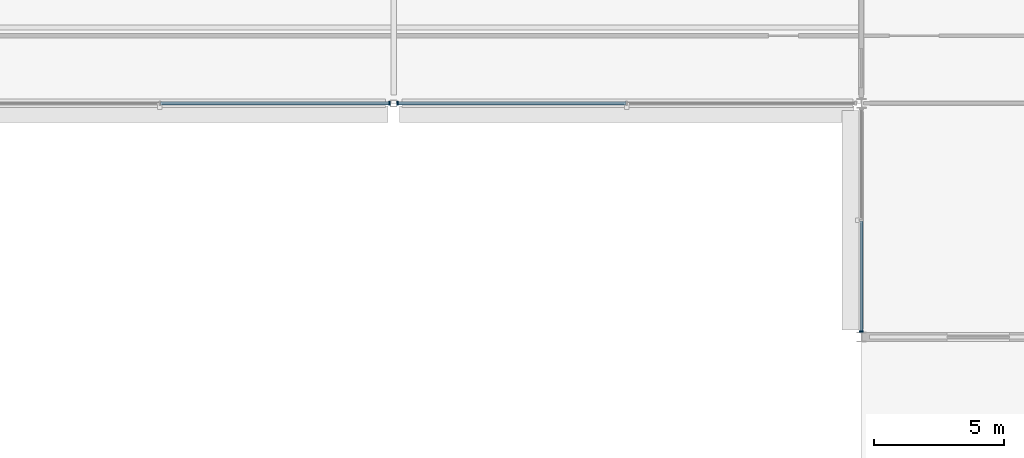
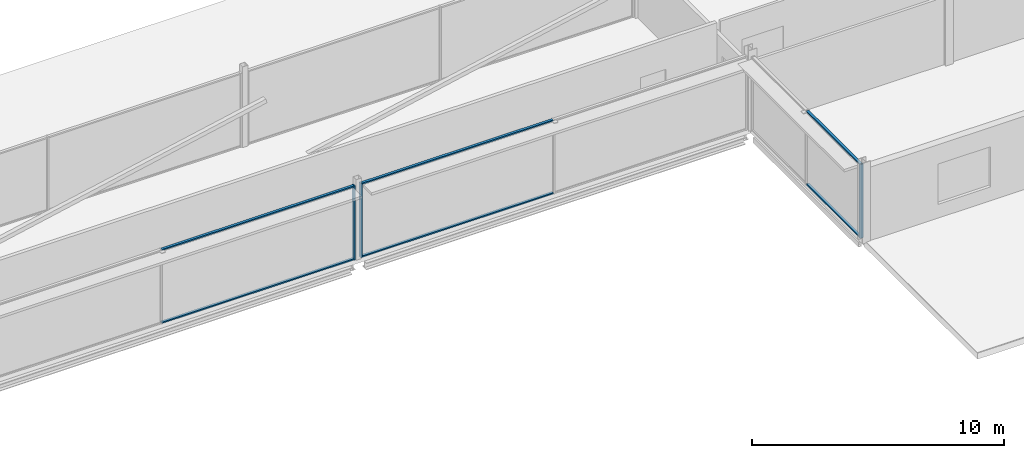
# One storey, part 42 of 105: 9 members, 3 elements without a shape of their own.
"""IFC4 building model written with IfcOpenShell, lengths in metres."""

from ifc_helpers import new_model, si_unit, direction, frame, origin, origin_2d, place, context, subcontext, project, spatial, rectangle, extrude, material, layer, layer_set, material_profile, profile_set, type_object, element, aggregate, save


model = new_model("IFC4")

# Units and contexts
model_context = context("Model", 3, precision=1e-05, world=origin(), true_north=direction((0.0, 1.0)))
body_context = subcontext(model_context, "Body", "Model", "MODEL_VIEW")
ifc_project = project(units=[si_unit("LENGTHUNIT", "METRE"), si_unit("AREAUNIT", "SQUARE_METRE"), si_unit("VOLUMEUNIT", "CUBIC_METRE"), si_unit("PLANEANGLEUNIT", "RADIAN"), si_unit("MASSUNIT", "GRAM", prefix="KILO")], contexts=[model_context])

# Site, building, storey
site_placement = place(None, origin())
site = spatial("IfcSite", under=ifc_project, at=site_placement, CompositionType="ELEMENT")
building_placement = place(site_placement, origin())
building = spatial("IfcBuilding", under=site, at=building_placement, Name="Kisiwana Market Hall", CompositionType="ELEMENT")
storey_placement = place(building_placement, frame((0.0, 0.0, 21.60009765625)))
storey = spatial("IfcBuildingStorey", under=building, at=storey_placement, Name="L04", CompositionType="ELEMENT", Elevation=21.60009765625)

# Curtain wall, member
ifc_material_1 = material(Name="Double-glazed solar-control low-E IGU", Category="glass")
ifc_layer = layer(ifc_material_1, 0.159912109375)
ifc_layer_set = layer_set([ifc_layer], Name="CW-ZNA-EW-8200")
curtain_wall_type = type_object("IfcCurtainWallType", Name="CW-ZNA-EW-8200", PredefinedType="USERDEFINED", material=ifc_layer_set)
curtain_wall_1_placement = place(storey_placement, origin())
curtain_wall_1 = element("IfcCurtainWall", 1, at=curtain_wall_1_placement, inside=storey, type_object=curtain_wall_type, Name="Unitised curtain wall CW-096 (L04)", ObjectType="UNITISED CURTAIN WALL", PredefinedType="USERDEFINED")
ifc_material_2 = material(Name="Aluminium alloy 6063-T6", Category="aluminium")
ifc_material_profile_1 = material_profile(ifc_material_2, rectangle(XDim=0.06005859375, YDim=0.159912109375, at=origin_2d()), Name="ALU MULLION 60x160")
ifc_profile_set_1 = profile_set([ifc_material_profile_1], Name="Aluminium alloy 6063-T6")
member_type_1 = type_object("IfcMemberType", Name="CW-MULL-60x160", PredefinedType="MULLION", material=ifc_profile_set_1)
member_1_placement = place(storey_placement, frame((134.844970703125, 18.0, 0.0), z_axis=(0.0, 0.0, 1.0), x_axis=(1.0, 0.0, 0.0)))
member_1 = element("IfcMember", 2, at=member_1_placement, type_object=member_type_1, Name="CW-096 mullion 3", PredefinedType="MULLION", context=body_context, shape_type="SweptSolid", body=[
    extrude(rectangle(XDim=0.06005859375, YDim=0.159912109375, at=origin_2d()), origin(), (0.0, 0.0, 1.0), 3.5849609375),
])

curtain_wall_2_placement = place(storey_placement, origin())
curtain_wall_2 = element("IfcCurtainWall", 3, at=curtain_wall_2_placement, inside=storey, type_object=curtain_wall_type, Name="Unitised curtain wall CW-097 (L04)", ObjectType="UNITISED CURTAIN WALL", PredefinedType="USERDEFINED")
member_2_placement = place(storey_placement, frame((135.155029296875, 18.0, 0.0), z_axis=(0.0, 0.0, 1.0), x_axis=(1.0, 0.0, 0.0)))
member_2 = element("IfcMember", 4, at=member_2_placement, type_object=member_type_1, Name="CW-097 mullion 1", PredefinedType="MULLION", context=body_context, shape_type="SweptSolid", body=[
    extrude(rectangle(XDim=0.06005859375, YDim=0.159912109375, at=origin_2d()), origin(), (0.0, 0.0, 1.0), 3.5849609375),
])

curtain_wall_3_placement = place(storey_placement, origin())
curtain_wall_3 = element("IfcCurtainWall", 5, at=curtain_wall_3_placement, inside=storey, type_object=curtain_wall_type, Name="Unitised curtain wall CW-124 (L04)", ObjectType="UNITISED CURTAIN WALL", PredefinedType="USERDEFINED")
member_3_placement = place(storey_placement, frame((153.0, 9.214111328125, 0.0), z_axis=(0.0, 0.0, 1.0), x_axis=(0.0, 1.0, 0.0)))
member_3 = element("IfcMember", 6, at=member_3_placement, type_object=member_type_1, Name="CW-124 mullion 1", PredefinedType="MULLION", context=body_context, shape_type="SweptSolid", body=[
    extrude(rectangle(XDim=0.06005859375, YDim=0.159912109375, at=origin_2d()), origin(), (0.0, 0.0, 1.0), 3.5849609375),
])

# Member
ifc_material_3 = material(Name="Aluminium alloy 6063-T6", Category="aluminium")
ifc_material_profile_2 = material_profile(ifc_material_3, rectangle(XDim=0.1201171875, YDim=0.06005859375, at=origin_2d()), Name="ALU TRANSOM 60x120")
ifc_profile_set_2 = profile_set([ifc_material_profile_2], Name="Aluminium alloy 6063-T6")
member_type_2 = type_object("IfcMemberType", Name="CW-TRAN-60x120", PredefinedType="USERDEFINED", material=ifc_profile_set_2)
member_4_placement = place(storey_placement, frame((126.030029296875, 18.0, 0.02978515625), z_axis=(1.0, 0.0, 0.0), x_axis=(0.0, 1.0, 0.0)))
member_4 = element("IfcMember", 7, at=member_4_placement, type_object=member_type_2, Name="CW-096 transom 2.1", ObjectType="TRANSOM", PredefinedType="USERDEFINED", context=body_context, shape_type="SweptSolid", body=[
    extrude(rectangle(XDim=0.1201171875, YDim=0.06005859375, at=origin_2d()), origin(), (0.0, 0.0, 1.0), 8.784912109375),
])

member_5_placement = place(storey_placement, frame((126.030029296875, 18.0, 3.554931640625), z_axis=(1.0, 0.0, 0.0), x_axis=(0.0, 1.0, 0.0)))
member_5 = element("IfcMember", 8, at=member_5_placement, type_object=member_type_2, Name="CW-096 transom 2.2", ObjectType="TRANSOM", PredefinedType="USERDEFINED", context=body_context, shape_type="SweptSolid", body=[
    extrude(rectangle(XDim=0.1201171875, YDim=0.06005859375, at=origin_2d()), origin(), (0.0, 0.0, 1.0), 8.784912109375),
])

aggregate(curtain_wall_1, [member_1, member_4, member_5])

member_6_placement = place(storey_placement, frame((135.18505859375, 18.0, 0.02978515625), z_axis=(1.0, 0.0, 0.0), x_axis=(0.0, 1.0, 0.0)))
member_6 = element("IfcMember", 9, at=member_6_placement, type_object=member_type_2, Name="CW-097 transom 1.1", ObjectType="TRANSOM", PredefinedType="USERDEFINED", context=body_context, shape_type="SweptSolid", body=[
    extrude(rectangle(XDim=0.1201171875, YDim=0.06005859375, at=origin_2d()), origin(), (0.0, 0.0, 1.0), 8.75439453125),
])

member_7_placement = place(storey_placement, frame((135.18505859375, 18.0, 3.554931640625), z_axis=(1.0, 0.0, 0.0), x_axis=(0.0, 1.0, 0.0)))
member_7 = element("IfcMember", 10, at=member_7_placement, type_object=member_type_2, Name="CW-097 transom 1.2", ObjectType="TRANSOM", PredefinedType="USERDEFINED", context=body_context, shape_type="SweptSolid", body=[
    extrude(rectangle(XDim=0.1201171875, YDim=0.06005859375, at=origin_2d()), origin(), (0.0, 0.0, 1.0), 8.75439453125),
])

aggregate(curtain_wall_2, [member_2, member_6, member_7])

member_8_placement = place(storey_placement, frame((153.0, 9.244140625, 0.02978515625), z_axis=(0.0, 1.0, 0.0), x_axis=(-1.0, 0.0, 0.0)))
member_8 = element("IfcMember", 11, at=member_8_placement, type_object=member_type_2, Name="CW-124 transom 1.1", ObjectType="TRANSOM", PredefinedType="USERDEFINED", context=body_context, shape_type="SweptSolid", body=[
    extrude(rectangle(XDim=0.1201171875, YDim=0.06005859375, at=origin_2d()), origin(), (0.0, 0.0, 1.0), 4.225830078125),
])

member_9_placement = place(storey_placement, frame((153.0, 9.244140625, 3.554931640625), z_axis=(0.0, 1.0, 0.0), x_axis=(-1.0, 0.0, 0.0)))
member_9 = element("IfcMember", 12, at=member_9_placement, type_object=member_type_2, Name="CW-124 transom 1.2", ObjectType="TRANSOM", PredefinedType="USERDEFINED", context=body_context, shape_type="SweptSolid", body=[
    extrude(rectangle(XDim=0.1201171875, YDim=0.06005859375, at=origin_2d()), origin(), (0.0, 0.0, 1.0), 4.225830078125),
])

aggregate(curtain_wall_3, [member_3, member_8, member_9])

save(model, "model.ifc")
